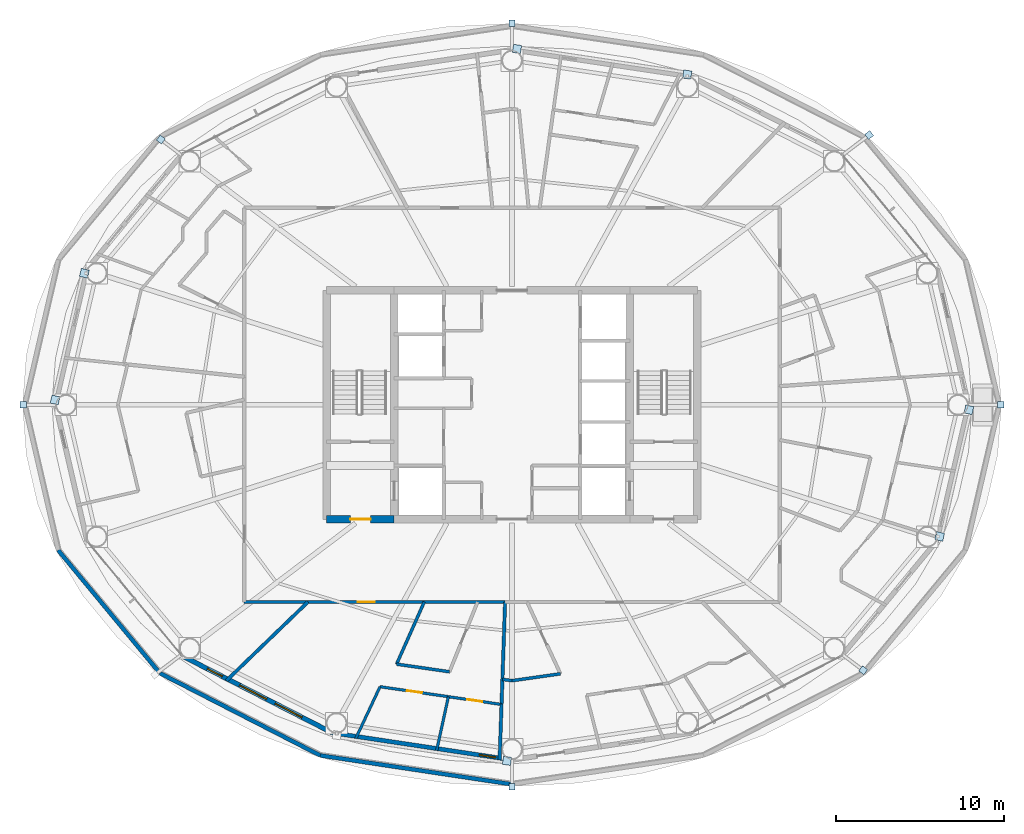
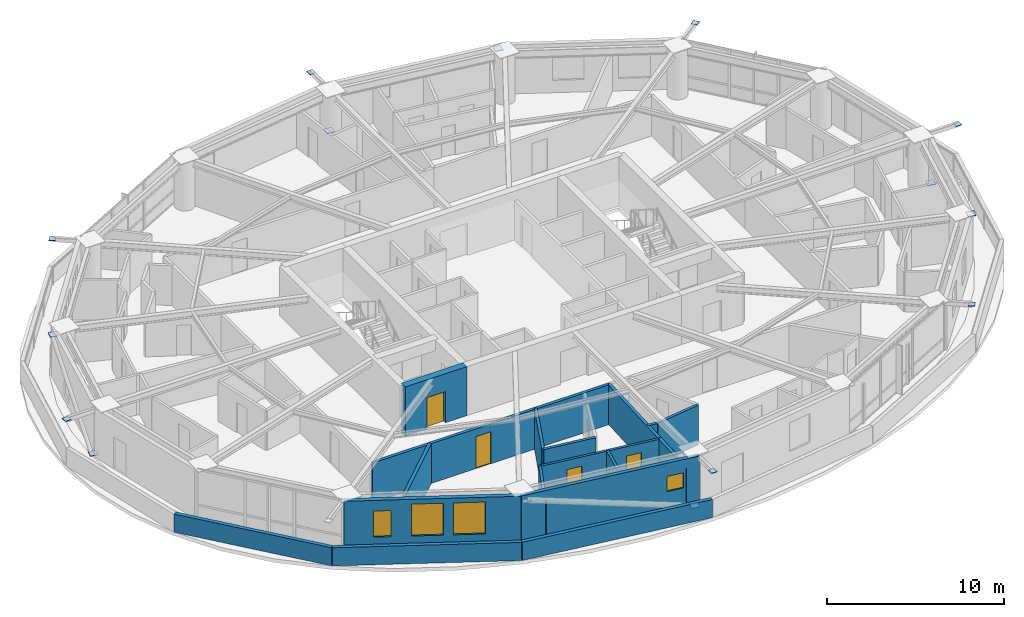
# One storey, part 19 of 27: 17 walls, 14 plates, 4 doors, 4 windows, 8 openings.
"""IFC4 building model written with IfcOpenShell, lengths in metres."""

from ifc_helpers import new_model, si_unit, direction, frame, frame_2d, origin, origin_2d, place, context, subcontext, project, spatial, rectangle, extrude, material, layer, layer_set, type_object, element, fill, save


model = new_model("IFC4")

# Units and contexts
model_context = context("Model", 3, precision=1e-05, world=origin(), true_north=direction((0.0, 1.0)))
body_context = subcontext(model_context, "Body", "Model", "MODEL_VIEW")
ifc_project = project(units=[si_unit("LENGTHUNIT", "METRE"), si_unit("AREAUNIT", "SQUARE_METRE"), si_unit("VOLUMEUNIT", "CUBIC_METRE"), si_unit("PLANEANGLEUNIT", "RADIAN"), si_unit("MASSUNIT", "GRAM", prefix="KILO")], contexts=[model_context])

# Site, building, storey
site_placement = place(None, origin())
site = spatial("IfcSite", under=ifc_project, at=site_placement, CompositionType="ELEMENT")
building_placement = place(site_placement, origin())
building = spatial("IfcBuilding", under=site, at=building_placement, Name="Sarneth Arch Tower", CompositionType="ELEMENT")
storey_placement = place(building_placement, frame((0.0, 0.0, 150.60009765625)))
storey = spatial("IfcBuildingStorey", under=building, at=storey_placement, Name="L37", CompositionType="ELEMENT", Elevation=150.60009765625)

# Plates
ifc_material_1 = material(Name="Steel S355", Category="steel")
ifc_layer_1 = layer(ifc_material_1, 0.035888671875)
ifc_layer_set_1 = layer_set([ifc_layer_1], Name="Steel S355")
plate_type = type_object("IfcPlateType", Name="PLT-GUSSET-30", PredefinedType="SHEET", material=ifc_layer_set_1)
for number, where, z_axis, x_axis, name in (
    (1, (77.023681640625, 42.0, 3.2021484375), (0.0, 0.0, 1.0), (1.0, 0.0, 0.0), "Steel end cap plate GP-1"),
    (2, (69.2060546875, 58.0263671875, 3.2021484375), (0.0, 0.0, 1.0), (0.797794439539, 0.602929541689, 0.0), "Steel end cap plate GP-1"),
):
    element("IfcPlate", number, at=place(storey_placement, frame(where, z_axis=z_axis, x_axis=x_axis)), inside=storey, type_object=plate_type, Name=name, PredefinedType="SHEET", context=body_context, shape_type="SweptSolid", body=[
        extrude(rectangle(XDim=0.3798828125, YDim=0.3798828125, at=origin_2d()), origin(), (0.0, 0.0, 1.0), 0.035888671875),
    ])
for number, where, z_axis, x_axis, name in (
    (3, (48.296630859375, 63.13525390625, 0.001953125), (0.0, 0.0, 1.0), (-0.98883454203, 0.149017611339, 0.0), "Steel end cap plate GP-1"),
    (4, (58.404296875, 61.612548828125, 3.03271484375), (0.0, 0.0, 1.0), (-0.98883454203, 0.149017611339, 0.0), "Steel end cap plate GP-1"),
):
    element("IfcPlate", number, at=place(storey_placement, frame(where, z_axis=z_axis, x_axis=x_axis)), inside=storey, type_object=plate_type, Name=name, PredefinedType="SHEET", context=body_context, shape_type="SweptSolid", body=[
        extrude(rectangle(XDim=0.486083984375, YDim=0.486083984375, at=origin_2d()), origin(), (0.0, 0.0, 1.0), 0.035888671875),
    ])
for number, where, z_axis, x_axis, name in (
    (5, (48.0, 64.663330078125, 3.2021484375), (0.0, 0.0, 1.0), (0.0, 1.0, 0.0), "Steel end cap plate GP-1"),
    (6, (27.14892578125, 57.758056640625, 3.2021484375), (0.0, 0.0, 1.0), (-0.797794439539, 0.602929541689, 0.0), "Steel end cap plate GP-1"),
):
    element("IfcPlate", number, at=place(storey_placement, frame(where, z_axis=z_axis, x_axis=x_axis)), inside=storey, type_object=plate_type, Name=name, PredefinedType="SHEET", context=body_context, shape_type="SweptSolid", body=[
        extrude(rectangle(XDim=0.3798828125, YDim=0.3798828125, at=origin_2d()), origin(), (0.0, 0.0, 1.0), 0.035888671875),
    ])
for number, where, z_axis, x_axis, name in (
    (7, (20.87109375, 42.292236328125, 0.001953125), (0.0, 0.0, 1.0), (-0.225291159947, -0.974291482694, 0.0), "Steel end cap plate GP-1"),
    (8, (22.609619140625, 49.81298828125, 3.03271484375), (0.0, 0.0, 1.0), (-0.225291159947, -0.974291482694, 0.0), "Steel end cap plate GP-1"),
):
    element("IfcPlate", number, at=place(storey_placement, frame(where, z_axis=z_axis, x_axis=x_axis)), inside=storey, type_object=plate_type, Name=name, PredefinedType="SHEET", context=body_context, shape_type="SweptSolid", body=[
        extrude(rectangle(XDim=0.486083984375, YDim=0.486083984375, at=origin_2d()), origin(), (0.0, 0.0, 1.0), 0.035888671875),
    ])
plate_1_placement = place(storey_placement, frame((18.976318359375, 42.0, 3.2021484375), z_axis=(0.0, 0.0, 1.0), x_axis=(-1.0, 0.0, 0.0)))
element("IfcPlate", 9, at=plate_1_placement, inside=storey, type_object=plate_type, Name="Steel end cap plate GP-1", PredefinedType="SHEET", context=body_context, shape_type="SweptSolid", body=[
    extrude(rectangle(XDim=0.3798828125, YDim=0.3798828125, at=origin_2d()), origin(), (0.0, 0.0, 1.0), 0.035888671875),
])
plate_2_placement = place(storey_placement, frame((47.703369140625, 20.86474609375, 0.001953125), z_axis=(0.0, 0.0, 1.0), x_axis=(0.98883454203, -0.149017611339, 0.0)))
element("IfcPlate", 10, at=plate_2_placement, inside=storey, type_object=plate_type, Name="Steel end cap plate GP-1", PredefinedType="SHEET", context=body_context, shape_type="SweptSolid", body=[
    extrude(rectangle(XDim=0.486083984375, YDim=0.486083984375, at=origin_2d()), origin(), (0.0, 0.0, 1.0), 0.035888671875),
])
for number, where, z_axis, x_axis, name in (
    (11, (48.0, 19.336669921875, 3.2021484375), (0.0, 0.0, 1.0), (0.0, -1.0, 0.0), "Steel end cap plate GP-1"),
    (12, (68.85107421875, 26.241943359375, 3.2021484375), (0.0, 0.0, 1.0), (0.797794439539, -0.602929541689, 0.0), "Steel end cap plate GP-1"),
):
    element("IfcPlate", number, at=place(storey_placement, frame(where, z_axis=z_axis, x_axis=x_axis)), inside=storey, type_object=plate_type, Name=name, PredefinedType="SHEET", context=body_context, shape_type="SweptSolid", body=[
        extrude(rectangle(XDim=0.3798828125, YDim=0.3798828125, at=origin_2d()), origin(), (0.0, 0.0, 1.0), 0.035888671875),
    ])
for number, where, z_axis, x_axis, name in (
    (13, (75.12890625, 41.707763671875, 0.001953125), (0.0, 0.0, 1.0), (0.225291159947, 0.974291482694, 0.0), "Steel end cap plate GP-1"),
    (14, (73.390380859375, 34.18701171875, 3.03271484375), (0.0, 0.0, 1.0), (0.225291159947, 0.974291482694, 0.0), "Steel end cap plate GP-1"),
):
    element("IfcPlate", number, at=place(storey_placement, frame(where, z_axis=z_axis, x_axis=x_axis)), inside=storey, type_object=plate_type, Name=name, PredefinedType="SHEET", context=body_context, shape_type="SweptSolid", body=[
        extrude(rectangle(XDim=0.486083984375, YDim=0.486083984375, at=origin_2d()), origin(), (0.0, 0.0, 1.0), 0.035888671875),
    ])

# Wall, opening, door
ifc_material_2 = material(Name="Concrete C50/60", Category="concrete")
ifc_layer_2 = layer(ifc_material_2, 0.449951171875)
ifc_layer_set_2 = layer_set([ifc_layer_2], Name="Concrete C50/60")
wall_type_1 = type_object("IfcWallType", Name="WALL-CORE-450", PredefinedType="SHEAR", material=ifc_layer_set_2)
wall_1_placement = place(storey_placement, frame((37.0, 35.199951171875, 0.0), z_axis=(0.0, 0.0, 1.0), x_axis=(1.0, 0.0, 0.0)))
wall_1 = element("IfcWall", 15, at=wall_1_placement, inside=storey, type_object=wall_type_1, Name="L37 Core shear wall S-W", PredefinedType="SHEAR", context=body_context, shape_type="SweptSolid", body=[
    extrude(rectangle(XDim=4.0, YDim=0.449951171875, at=frame_2d((2.0, 0.0))), origin(), (0.0, 0.0, 1.0), 3.3798828125),
])
opening_1_placement = place(wall_1_placement, frame((1.39990234375, 0.0, 0.0)))
opening_1 = element("IfcOpeningElement", 16, at=opening_1_placement, cuts=wall_1, Name="Opening FD-02", PredefinedType="OPENING", context=body_context, shape_type="SweptSolid", body=[
    extrude(rectangle(XDim=1.199951171875, YDim=2.14990234375, at=frame_2d((0.60009765625, 1.074951171875))), frame((0.0, 0.23486328125, 0.0), z_axis=(0.0, -1.0, 0.0), x_axis=(1.0, 0.0, 0.0)), (0.0, 0.0, 1.0), 0.469970703125),
])
ifc_material_3 = material(Name="Galvanised Steel S275 fire door set", Category="steel")
door_type_1 = type_object("IfcDoorType", Name="DR-FD90-1200", OperationType="SINGLE_SWING_LEFT", PredefinedType="DOOR", material=ifc_material_3)
door_1_placement = place(opening_1_placement, origin())
door_1 = element("IfcDoor", 17, at=door_1_placement, inside=storey, type_object=door_type_1, Name="L37 Firefighting lobby 1 exit door", OperationType="SINGLE_SWING_LEFT", OverallHeight=2.14990234375, OverallWidth=1.199951171875, PredefinedType="DOOR", context=body_context, shape_type="SweptSolid", body=[
    extrude(rectangle(XDim=1.199951171875, YDim=2.14990234375, at=frame_2d((0.60009765625, 1.074951171875))), frame((0.0, 0.02490234375, 0.0), z_axis=(0.0, -1.0, 0.0), x_axis=(1.0, 0.0, 0.0)), (0.0, 0.0, 1.0), 0.050048828125),
])
fill(opening_1, door_1)

ifc_material_4 = material(Name="Double steel-stud corridor fire wall", Category="steel")
ifc_layer_3 = layer(ifc_material_4, 0.18994140625)
ifc_layer_set_3 = layer_set([ifc_layer_3], Name="Double steel-stud corridor fire wall")
wall_type_2 = type_object("IfcWallType", Name="WALL-CORR-190", PredefinedType="PARTITIONING", material=ifc_layer_set_3)
wall_2_placement = place(storey_placement, frame((32.10009765625, 30.300048828125, 0.0), z_axis=(0.0, 0.0, 1.0), x_axis=(1.0, 0.0, 0.0)))
wall_2 = element("IfcWall", 18, at=wall_2_placement, inside=storey, type_object=wall_type_2, Name="L37 Interior partition W-L37-TP-018", PredefinedType="PARTITIONING", context=body_context, shape_type="SweptSolid", body=[
    extrude(rectangle(XDim=15.4912109375, YDim=0.18994140625, at=frame_2d((7.74560546875, 0.0))), origin(), (0.0, 0.0, 1.0), 2.739990234375),
])
opening_2_placement = place(wall_2_placement, frame((6.737548828125, 0.0, 0.0)))
opening_2 = element("IfcOpeningElement", 19, at=opening_2_placement, cuts=wall_2, Name="Opening FD-08", PredefinedType="OPENING", context=body_context, shape_type="SweptSolid", body=[
    extrude(rectangle(XDim=1.0, YDim=2.199951171875, at=frame_2d((0.5, 1.10009765625))), frame((0.0, 0.10498046875, 0.0), z_axis=(0.0, -1.0, 0.0), x_axis=(1.0, 0.0, 0.0)), (0.0, 0.0, 1.0), 0.2099609375),
])
ifc_material_5 = material(Name="Hardwood timber acoustic fire door", Category="wood")
door_type_2 = type_object("IfcDoorType", Name="DR-FD60-1000", OperationType="SINGLE_SWING_LEFT", PredefinedType="DOOR", material=ifc_material_5)
door_2_placement = place(opening_2_placement, origin())
door_2 = element("IfcDoor", 20, at=door_2_placement, inside=storey, type_object=door_type_2, Name="L37 Interior door DR-L37-U6-ENT", OperationType="SINGLE_SWING_RIGHT", OverallHeight=2.199951171875, OverallWidth=1.0, PredefinedType="DOOR", context=body_context, shape_type="SweptSolid", body=[
    extrude(rectangle(XDim=1.0, YDim=2.199951171875, at=frame_2d((0.5, 1.10009765625))), frame((0.0, 0.02490234375, 0.0), z_axis=(0.0, -1.0, 0.0), x_axis=(1.0, 0.0, 0.0)), (0.0, 0.0, 1.0), 0.050048828125),
])
fill(opening_2, door_2)

# Wall, opening, window
ifc_material_6 = material(Name="Extruded terracotta rainscreen on Concrete C40/50 backing", Category="masonry")
ifc_layer_4 = layer(ifc_material_6, 0.25)
ifc_layer_set_4 = layer_set([ifc_layer_4], Name="Extruded terracotta rainscreen on Concrete C40/50 backing")
wall_type_3 = type_object("IfcWallType", Name="WALL-EXT-SPAND-250", PredefinedType="SOLIDWALL", material=ifc_layer_set_4)
wall_3_placement = place(storey_placement, frame((37.337158203125, 22.524658203125, 0.0), z_axis=(0.0, 0.0, 1.0), x_axis=(0.988863993413, -0.148822049884, 0.0)))
wall_3 = element("IfcWall", 21, at=wall_3_placement, inside=storey, type_object=wall_type_3, Name="L37 Terracotta perimeter wall 12", PredefinedType="SOLIDWALL", context=body_context, shape_type="SweptSolid", body=[
    extrude(rectangle(XDim=10.782958984375, YDim=0.25, at=frame_2d((5.3916015625, 0.0))), origin(), (0.0, 0.0, 1.0), 3.3798828125),
])
opening_3_placement = place(wall_3_placement, frame((8.809326171875, 0.0, 1.419921875)))
opening_3 = element("IfcOpeningElement", 22, at=opening_3_placement, cuts=wall_3, Name="Opening W-14", PredefinedType="OPENING", context=body_context, shape_type="SweptSolid", body=[
    extrude(rectangle(XDim=1.0, YDim=1.050048828125, at=frame_2d((0.5, 0.52490234375))), frame((0.0, 0.135009765625, 0.0), z_axis=(0.0, -1.0, 0.0), x_axis=(1.0, 0.0, 0.0)), (0.0, 0.0, 1.0), 0.27001953125),
])
ifc_material_7 = material(Name="Thermally broken Aluminium 6063-T6 and low-e laminated IGU", Category="aluminium")
window_type_1 = type_object("IfcWindowType", Name="WIN-TWR-1000x1050", PartitioningType="SINGLE_PANEL", PredefinedType="WINDOW", material=ifc_material_7)
window_1_placement = place(opening_3_placement, origin())
window_1 = element("IfcWindow", 23, at=window_1_placement, inside=storey, type_object=window_type_1, Name="L37 Dwelling bedroom window 03", OverallHeight=1.050048828125, OverallWidth=1.0, PartitioningType="SINGLE_PANEL", PredefinedType="WINDOW", context=body_context, shape_type="SweptSolid", body=[
    extrude(rectangle(XDim=1.0, YDim=1.050048828125, at=frame_2d((0.5, 0.52490234375))), frame((0.0, 0.030029296875, 0.0), z_axis=(0.0, -1.0, 0.0), x_axis=(1.0, 0.0, 0.0)), (0.0, 0.0, 1.0), 0.06005859375),
])
fill(opening_3, window_1)

# Wall, openings, windows
ifc_material_8 = material(Name="Extruded terracotta rainscreen on Concrete C40/50 backing", Category="masonry")
ifc_layer_5 = layer(ifc_material_8, 0.280029296875)
ifc_layer_set_5 = layer_set([ifc_layer_5], Name="Extruded terracotta rainscreen on Concrete C40/50 backing")
wall_type_4 = type_object("IfcWallType", Name="WALL-EXT-TERRA-280", PredefinedType="SOLIDWALL", material=ifc_layer_set_5)
wall_4_placement = place(storey_placement, frame((28.423828125, 27.09423828125, 0.0), z_axis=(0.0, 0.0, 1.0), x_axis=(0.889872523182, -0.456209263919, 0.0)))
wall_4 = element("IfcWall", 24, at=wall_4_placement, inside=storey, type_object=wall_type_4, Name="L37 Terracotta perimeter wall 11", PredefinedType="SOLIDWALL", context=body_context, shape_type="SweptSolid", body=[
    extrude(rectangle(XDim=10.016357421875, YDim=0.280029296875, at=frame_2d((5.00830078125, 0.0))), origin(), (0.0, 0.0, 1.0), 3.3798828125),
])
opening_4_placement = place(wall_4_placement, frame((1.67041015625, 0.0, 0.85009765625)))
opening_4 = element("IfcOpeningElement", 25, at=opening_4_placement, cuts=wall_4, Name="Opening W-11", PredefinedType="OPENING", context=body_context, shape_type="SweptSolid", body=[
    extrude(rectangle(XDim=1.0, YDim=1.800048828125, at=frame_2d((0.5, 0.89990234375))), frame((0.0, 0.14990234375, 0.0), z_axis=(0.0, -1.0, 0.0), x_axis=(1.0, 0.0, 0.0)), (0.0, 0.0, 1.0), 0.300048828125),
])
opening_5_placement = place(wall_4_placement, frame((3.822265625, 0.0, 0.85009765625)))
opening_5 = element("IfcOpeningElement", 26, at=opening_5_placement, cuts=wall_4, Name="Opening W-04", PredefinedType="OPENING", context=body_context, shape_type="SweptSolid", body=[
    extrude(rectangle(XDim=1.800048828125, YDim=2.199951171875, at=frame_2d((0.89990234375, 1.10009765625))), frame((0.0, 0.14990234375, 0.0), z_axis=(0.0, -1.0, 0.0), x_axis=(1.0, 0.0, 0.0)), (0.0, 0.0, 1.0), 0.300048828125),
])
opening_6_placement = place(wall_4_placement, frame((6.19384765625, 0.0, 0.85009765625)))
opening_6 = element("IfcOpeningElement", 27, at=opening_6_placement, cuts=wall_4, Name="Opening W-04", PredefinedType="OPENING", context=body_context, shape_type="SweptSolid", body=[
    extrude(rectangle(XDim=1.800048828125, YDim=2.199951171875, at=frame_2d((0.89990234375, 1.10009765625))), frame((0.0, 0.14990234375, 0.0), z_axis=(0.0, -1.0, 0.0), x_axis=(1.0, 0.0, 0.0)), (0.0, 0.0, 1.0), 0.300048828125),
])
ifc_material_9 = material(Name="Thermally broken Aluminium 6063-T6 and low-e laminated IGU", Category="aluminium")
window_type_2 = type_object("IfcWindowType", Name="WIN-TWR-1000x1800", PartitioningType="SINGLE_PANEL", PredefinedType="WINDOW", material=ifc_material_9)
window_2_placement = place(opening_4_placement, origin())
window_2 = element("IfcWindow", 28, at=window_2_placement, inside=storey, type_object=window_type_2, Name="L37 Exterior window 11A", OverallHeight=1.800048828125, OverallWidth=1.0, PartitioningType="SINGLE_PANEL", PredefinedType="WINDOW", context=body_context, shape_type="SweptSolid", body=[
    extrude(rectangle(XDim=1.0, YDim=1.800048828125, at=frame_2d((0.5, 0.89990234375))), frame((0.0, 0.030029296875, 0.0), z_axis=(0.0, -1.0, 0.0), x_axis=(1.0, 0.0, 0.0)), (0.0, 0.0, 1.0), 0.06005859375),
])
fill(opening_4, window_2)
ifc_material_10 = material(Name="Thermally broken Aluminium 6063-T6 and low-e laminated IGU", Category="aluminium")
window_type_3 = type_object("IfcWindowType", Name="WIN-TWR-1800x2200", PartitioningType="DOUBLE_PANEL_VERTICAL", PredefinedType="WINDOW", material=ifc_material_10)
window_3_placement = place(opening_5_placement, origin())
window_3 = element("IfcWindow", 29, at=window_3_placement, inside=storey, type_object=window_type_3, Name="L37 Exterior window 11B", OverallHeight=2.199951171875, OverallWidth=1.800048828125, PartitioningType="SINGLE_PANEL", PredefinedType="WINDOW", context=body_context, shape_type="SweptSolid", body=[
    extrude(rectangle(XDim=1.800048828125, YDim=2.199951171875, at=frame_2d((0.89990234375, 1.10009765625))), frame((0.0, 0.030029296875, 0.0), z_axis=(0.0, -1.0, 0.0), x_axis=(1.0, 0.0, 0.0)), (0.0, 0.0, 1.0), 0.06005859375),
])
fill(opening_5, window_3)
window_4_placement = place(opening_6_placement, origin())
window_4 = element("IfcWindow", 30, at=window_4_placement, inside=storey, type_object=window_type_3, Name="L37 Exterior window 11C", OverallHeight=2.199951171875, OverallWidth=1.800048828125, PartitioningType="SINGLE_PANEL", PredefinedType="WINDOW", context=body_context, shape_type="SweptSolid", body=[
    extrude(rectangle(XDim=1.800048828125, YDim=2.199951171875, at=frame_2d((0.89990234375, 1.10009765625))), frame((0.0, 0.030029296875, 0.0), z_axis=(0.0, -1.0, 0.0), x_axis=(1.0, 0.0, 0.0)), (0.0, 0.0, 1.0), 0.06005859375),
])
fill(opening_6, window_4)

# Walls
ifc_material_11 = material(Name="Extruded terracotta rainscreen on Concrete C40/50 backing", Category="masonry")
ifc_layer_6 = layer(ifc_material_11, 0.239990234375)
ifc_layer_set_6 = layer_set([ifc_layer_6], Name="Extruded terracotta rainscreen on Concrete C40/50 backing")
wall_type_5 = type_object("IfcWallType", Name="WALL-PARAPET-240", PredefinedType="PARAPET", material=ifc_layer_set_6)
wall_5_placement = place(storey_placement, frame((21.048095703125, 33.378173828125, 0.0), z_axis=(0.0, 0.0, 1.0), x_axis=(0.637107627078, -0.770774851379, 0.0)))
element("IfcWall", 31, at=wall_5_placement, inside=storey, type_object=wall_type_5, Name="L37 Setback roof parapet 10", PredefinedType="PARAPET", context=body_context, shape_type="SweptSolid", body=[
    extrude(rectangle(XDim=9.483154296875, YDim=0.239990234375, at=frame_2d((4.74169921875, 0.0))), origin(), (0.0, 0.0, 1.0), 1.25),
])
wall_6_placement = place(storey_placement, frame((27.08984375, 26.06884765625, 0.0), z_axis=(0.0, 0.0, 1.0), x_axis=(0.8897661473, -0.456416698992, 0.0)))
element("IfcWall", 32, at=wall_6_placement, inside=storey, type_object=wall_type_5, Name="L37 Setback roof parapet 11", PredefinedType="PARAPET", context=body_context, shape_type="SweptSolid", body=[
    extrude(rectangle(XDim=10.7001953125, YDim=0.239990234375, at=frame_2d((5.35009765625, 0.0))), origin(), (0.0, 0.0, 1.0), 1.25),
])
wall_7_placement = place(storey_placement, frame((36.610595703125, 21.18505859375, 0.0), z_axis=(0.0, 0.0, 1.0), x_axis=(0.988851144077, -0.148907403638, 0.0)))
element("IfcWall", 33, at=wall_7_placement, inside=storey, type_object=wall_type_5, Name="L37 Setback roof parapet 12", PredefinedType="PARAPET", context=body_context, shape_type="SweptSolid", body=[
    extrude(rectangle(XDim=11.517822265625, YDim=0.239990234375, at=frame_2d((5.7587890625, 0.0))), origin(), (0.0, 0.0, 1.0), 1.25),
])

# Wall, openings, doors
ifc_material_12 = material(Name="Kitchen wet service chase wall", Category="gypsum")
ifc_layer_7 = layer(ifc_material_12, 0.159912109375)
ifc_layer_set_7 = layer_set([ifc_layer_7], Name="Kitchen wet service chase wall")
wall_type_6 = type_object("IfcWallType", Name="WALL-PLUMB-160", PredefinedType="PLUMBINGWALL", material=ifc_layer_set_7)
wall_8_placement = place(storey_placement, frame((47.37890625, 24.2109375, 0.0), z_axis=(0.0, 0.0, 1.0), x_axis=(-0.989473930598, 0.144711231999, 0.0)))
wall_8 = element("IfcWall", 34, at=wall_8_placement, inside=storey, type_object=wall_type_6, Name="L37 Interior partition W-L37-TP-077", PredefinedType="PLUMBINGWALL", context=body_context, shape_type="SweptSolid", body=[
    extrude(rectangle(XDim=7.29150390625, YDim=0.159912109375, at=frame_2d((3.645751953125, 0.0))), origin(), (0.0, 0.0, 1.0), 2.739990234375),
])
opening_7_placement = place(wall_8_placement, frame((4.7744140625, 0.0, 0.0)))
opening_7 = element("IfcOpeningElement", 35, at=opening_7_placement, cuts=wall_8, Name="Opening ID-01", PredefinedType="OPENING", context=body_context, shape_type="SweptSolid", body=[
    extrude(rectangle(XDim=0.89990234375, YDim=2.10009765625, at=frame_2d((0.449951171875, 1.050048828125))), frame((0.0, 0.08984375, 0.0), z_axis=(0.0, -1.0, 0.0), x_axis=(1.0, 0.0, 0.0)), (0.0, 0.0, 1.0), 0.179931640625),
])
opening_8_placement = place(wall_8_placement, frame((1.160888671875, 0.0, 0.0)))
opening_8 = element("IfcOpeningElement", 36, at=opening_8_placement, cuts=wall_8, Name="Opening ID-01", PredefinedType="OPENING", context=body_context, shape_type="SweptSolid", body=[
    extrude(rectangle(XDim=0.89990234375, YDim=2.10009765625, at=frame_2d((0.449951171875, 1.050048828125))), frame((0.0, 0.08984375, 0.0), z_axis=(0.0, -1.0, 0.0), x_axis=(1.0, 0.0, 0.0)), (0.0, 0.0, 1.0), 0.179931640625),
])
ifc_material_13 = material(Name="Engineered hardwood flush door", Category="wood")
door_type_3 = type_object("IfcDoorType", Name="DR-INT-900", OperationType="SINGLE_SWING_LEFT", PredefinedType="DOOR", material=ifc_material_13)
door_3_placement = place(opening_7_placement, origin())
door_3 = element("IfcDoor", 37, at=door_3_placement, inside=storey, type_object=door_type_3, Name="L37 Interior door DR-L37-U6-KIT", OperationType="SINGLE_SWING_LEFT", OverallHeight=2.10009765625, OverallWidth=0.89990234375, PredefinedType="DOOR", context=body_context, shape_type="SweptSolid", body=[
    extrude(rectangle(XDim=0.89990234375, YDim=2.10009765625, at=frame_2d((0.449951171875, 1.050048828125))), frame((0.0, 0.02490234375, 0.0), z_axis=(0.0, -1.0, 0.0), x_axis=(1.0, 0.0, 0.0)), (0.0, 0.0, 1.0), 0.050048828125),
])
fill(opening_7, door_3)
door_4_placement = place(opening_8_placement, origin())
door_4 = element("IfcDoor", 38, at=door_4_placement, inside=storey, type_object=door_type_3, Name="L37 Interior door DR-L37-U6-BED1", OperationType="SINGLE_SWING_RIGHT", OverallHeight=2.10009765625, OverallWidth=0.89990234375, PredefinedType="DOOR", context=body_context, shape_type="SweptSolid", body=[
    extrude(rectangle(XDim=0.89990234375, YDim=2.10009765625, at=frame_2d((0.449951171875, 1.050048828125))), frame((0.0, 0.02490234375, 0.0), z_axis=(0.0, -1.0, 0.0), x_axis=(1.0, 0.0, 0.0)), (0.0, 0.0, 1.0), 0.050048828125),
])
fill(opening_8, door_4)

# Walls
wall_9_placement = place(storey_placement, frame((40.1640625, 25.26611328125, 0.0), z_axis=(0.0, 0.0, 1.0), x_axis=(-0.4240847822, -0.905622491718, 0.0)))
element("IfcWall", 39, at=wall_9_placement, inside=storey, type_object=wall_type_6, Name="L37 Interior partition W-L37-TP-078", PredefinedType="PLUMBINGWALL", context=body_context, shape_type="SweptSolid", body=[
    extrude(rectangle(XDim=3.38671875, YDim=0.159912109375, at=frame_2d((1.693359375, 0.0))), origin(), (0.0, 0.0, 1.0), 2.739990234375),
])
wall_10_placement = place(storey_placement, frame((44.22265625, 24.672607421875, 0.0), z_axis=(0.0, 0.0, 1.0), x_axis=(-0.213029945557, -0.977045670527, 0.0)))
element("IfcWall", 40, at=wall_10_placement, inside=storey, type_object=wall_type_6, Name="L37 Interior partition W-L37-TP-085", PredefinedType="PLUMBINGWALL", context=body_context, shape_type="SweptSolid", body=[
    extrude(rectangle(XDim=3.275390625, YDim=0.159912109375, at=frame_2d((1.6376953125, 0.0))), origin(), (0.0, 0.0, 1.0), 2.739990234375),
])
ifc_material_14 = material(Name="Moisture-resistant plumbing chase wall", Category="gypsum")
ifc_layer_8 = layer(ifc_material_14, 0.179931640625)
ifc_layer_set_8 = layer_set([ifc_layer_8], Name="Moisture-resistant plumbing chase wall")
wall_type_7 = type_object("IfcWallType", Name="WALL-PLUMB-180", PredefinedType="PLUMBINGWALL", material=ifc_layer_set_8)
wall_11_placement = place(storey_placement, frame((42.790771484375, 30.300048828125, 0.0), z_axis=(0.0, 0.0, 1.0), x_axis=(-0.406732062562, -0.913547497005, 0.0)))
element("IfcWall", 41, at=wall_11_placement, inside=storey, type_object=wall_type_7, Name="L37 Interior partition W-L37-TP-079", PredefinedType="PLUMBINGWALL", context=body_context, shape_type="SweptSolid", body=[
    extrude(rectangle(XDim=4.04443359375, YDim=0.179931640625, at=frame_2d((2.022216796875, 0.0))), origin(), (0.0, 0.0, 1.0), 2.739990234375),
])
wall_12_placement = place(storey_placement, frame((41.145751953125, 26.605224609375, 0.0), z_axis=(0.0, 0.0, 1.0), x_axis=(0.989829176861, -0.142261029925, 0.0)))
element("IfcWall", 42, at=wall_12_placement, inside=storey, type_object=wall_type_7, Name="L37 Interior partition W-L37-TP-080", PredefinedType="PLUMBINGWALL", context=body_context, shape_type="SweptSolid", body=[
    extrude(rectangle(XDim=3.1748046875, YDim=0.179931640625, at=frame_2d((1.58740234375, 0.0))), origin(), (0.0, 0.0, 1.0), 2.739990234375),
])
wall_13_placement = place(storey_placement, frame((50.876708984375, 26.033447265625, 0.0), z_axis=(0.0, 0.0, 1.0), x_axis=(-0.989834923367, -0.142221040929, 0.0)))
element("IfcWall", 43, at=wall_13_placement, inside=storey, type_object=wall_type_7, Name="L37 Interior partition W-L37-TP-090", PredefinedType="PLUMBINGWALL", context=body_context, shape_type="SweptSolid", body=[
    extrude(rectangle(XDim=2.90625, YDim=0.179931640625, at=frame_2d((1.453125, 0.0))), origin(), (0.0, 0.0, 1.0), 2.739990234375),
])
wall_14_placement = place(storey_placement, frame((48.0, 25.6201171875, 0.0), z_axis=(0.0, 0.0, 1.0), x_axis=(-0.989830245264, 0.142253595952, 0.0)))
element("IfcWall", 44, at=wall_14_placement, inside=storey, type_object=wall_type_7, Name="L37 Interior partition W-L37-TP-091", PredefinedType="PLUMBINGWALL", context=body_context, shape_type="SweptSolid", body=[
    extrude(rectangle(XDim=0.574951171875, YDim=0.179931640625, at=frame_2d((0.28759765625, 0.0))), origin(), (0.0, 0.0, 1.0), 2.739990234375),
])
ifc_material_15 = material(Name="Double steel-stud acoustic drywall", Category="steel")
ifc_layer_9 = layer(ifc_material_15, 0.199951171875)
ifc_layer_set_9 = layer_set([ifc_layer_9], Name="Double steel-stud acoustic drywall")
wall_type_8 = type_object("IfcWallType", Name="WALL-UNIT-200", PredefinedType="PARTITIONING", material=ifc_layer_set_9)
wall_15_placement = place(storey_placement, frame((31.042236328125, 25.6240234375, 0.0), z_axis=(0.0, 0.0, 1.0), x_axis=(0.719330837604, 0.694667651522, 0.0)))
element("IfcWall", 45, at=wall_15_placement, inside=storey, type_object=wall_type_8, Name="L37 Interior partition W-L37-TP-076", PredefinedType="PARTITIONING", context=body_context, shape_type="SweptSolid", body=[
    extrude(rectangle(XDim=6.731201171875, YDim=0.199951171875, at=frame_2d((3.36572265625, 0.0))), origin(), (0.0, 0.0, 1.0), 2.739990234375),
])
wall_16_placement = place(storey_placement, frame((47.59130859375, 30.300048828125, 0.0), z_axis=(0.0, 0.0, 1.0), x_axis=(-0.034861119634, -0.999392166438, 0.0)))
element("IfcWall", 46, at=wall_16_placement, inside=storey, type_object=wall_type_8, Name="L37 Interior partition W-L37-TP-084", PredefinedType="PARTITIONING", context=body_context, shape_type="SweptSolid", body=[
    extrude(rectangle(XDim=6.0927734375, YDim=0.199951171875, at=frame_2d((3.04638671875, 0.0))), origin(), (0.0, 0.0, 1.0), 2.739990234375),
])
wall_17_placement = place(storey_placement, frame((47.263427734375, 20.910400390625, 0.0), z_axis=(0.0, 0.0, 1.0), x_axis=(0.034921182562, 0.999390069497, 0.0)))
element("IfcWall", 47, at=wall_17_placement, inside=storey, type_object=wall_type_8, Name="L37 Interior partition W-L37-TP-086", PredefinedType="PARTITIONING", context=body_context, shape_type="SweptSolid", body=[
    extrude(rectangle(XDim=3.334716796875, YDim=0.199951171875, at=frame_2d((1.66748046875, 0.0))), origin(), (0.0, 0.0, 1.0), 2.739990234375),
])

save(model, "model.ifc")
